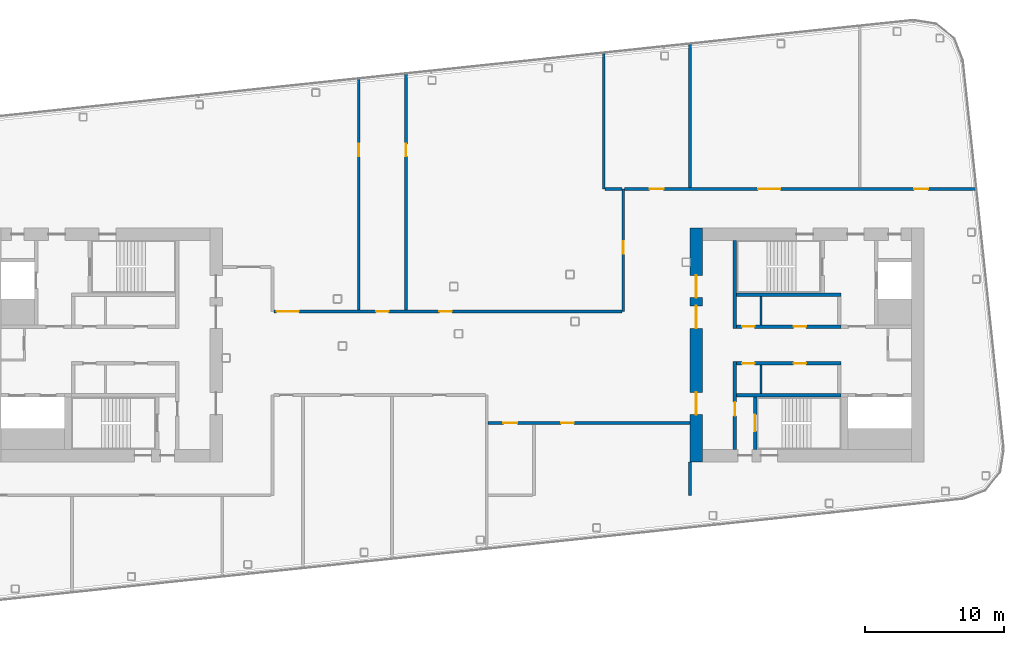
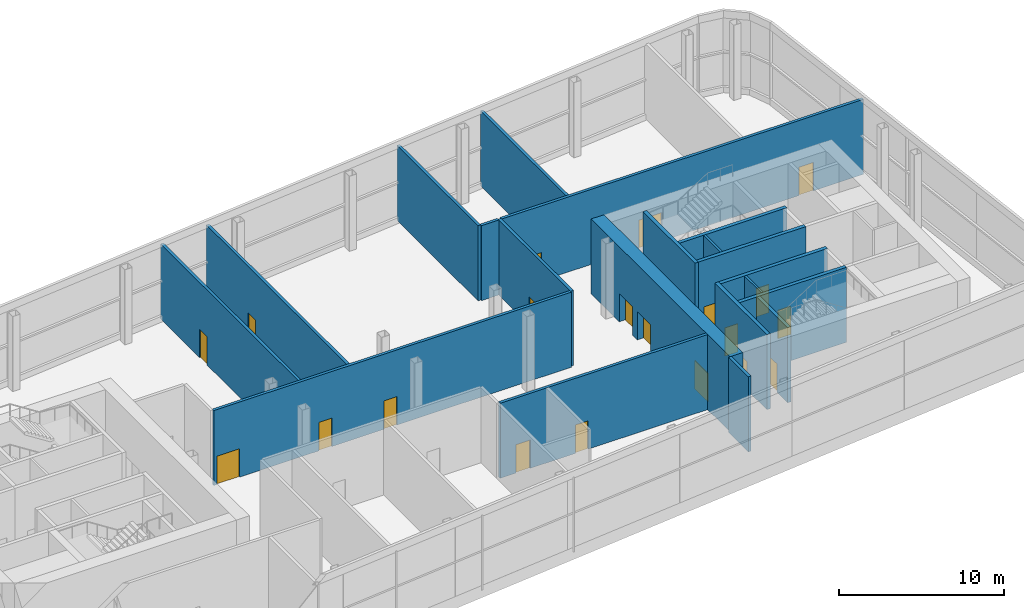
# One storey, part 16 of 35: 20 doors, 20 walls, 20 openings.
"""IFC4 building model written with IfcOpenShell, lengths in metres."""

from ifc_helpers import new_model, si_unit, direction, frame, frame_2d, origin, place, context, subcontext, project, spatial, rectangle, extrude, material, layer, layer_set, type_object, element, fill, save


model = new_model("IFC4")

# Units and contexts
model_context = context("Model", 3, precision=1e-05, world=origin(), true_north=direction((0.0, 1.0)))
body_context = subcontext(model_context, "Body", "Model", "MODEL_VIEW")
ifc_project = project(units=[si_unit("LENGTHUNIT", "METRE"), si_unit("AREAUNIT", "SQUARE_METRE"), si_unit("VOLUMEUNIT", "CUBIC_METRE"), si_unit("PLANEANGLEUNIT", "RADIAN"), si_unit("MASSUNIT", "GRAM", prefix="KILO")], contexts=[model_context])

# Site, building, storey
site_placement = place(None, origin())
site = spatial("IfcSite", under=ifc_project, at=site_placement, CompositionType="ELEMENT")
building_placement = place(site_placement, origin())
building = spatial("IfcBuilding", under=site, at=building_placement, Name="Hakoniwa Tower and Hamabe Station Hall", CompositionType="ELEMENT")
storey_placement = place(building_placement, frame((0.0, 0.0, 270.60009765625)))
storey = spatial("IfcBuildingStorey", under=building, at=storey_placement, Name="L76", CompositionType="ELEMENT", Elevation=270.60009765625)

# Walls
ifc_material_1 = material(Name="Gypsum board partition")
ifc_layer_1 = layer(ifc_material_1, 0.14990234375)
ifc_layer_set_1 = layer_set([ifc_layer_1], Name="CORE PARTITION 150 EI 60")
wall_type_1 = type_object("IfcWallType", Name="CORE PARTITION 150 EI 60", PredefinedType="PARTITIONING", material=ifc_layer_set_1)
for number, where, z_axis, x_axis, name in (
    (1, (21.89990234375, 1.449951171875, 0.0), (0.0, 0.0, 1.0), (0.0, 1.0, 0.0), "Core partition PFLR0 east"),
    (2, (21.89990234375, -3.5, 0.0), (0.0, 0.0, 1.0), (0.0, 1.0, 0.0), "Core partition PFHR0 east"),
):
    element("IfcWall", number, at=place(storey_placement, frame(where, z_axis=z_axis, x_axis=x_axis)), inside=storey, type_object=wall_type_1, Name=name, PredefinedType="PARTITIONING", context=body_context, shape_type="SweptSolid", body=[
        extrude(rectangle(XDim=2.050048828125, YDim=0.14990234375, at=frame_2d((1.02490234375, 0.0))), origin(), (0.0, 0.0, 1.0), 5.5498046875),
    ])

# Wall, openings, doors
ifc_material_2 = material(Name="Concrete C60", Category="concrete")
ifc_layer_2 = layer(ifc_material_2, 0.89990234375)
ifc_layer_set_2 = layer_set([ifc_layer_2], Name="CORE WALL 900 C60")
wall_type_2 = type_object("IfcWallType", Name="CORE WALL 900 C60", PredefinedType="SHEAR", material=ifc_layer_set_2)
wall_1_placement = place(storey_placement, frame((17.25, -8.39990234375, 0.0), z_axis=(0.0, 0.0, 1.0), x_axis=(0.0, 1.0, 0.0)))
wall_1 = element("IfcWall", 3, at=wall_1_placement, inside=storey, type_object=wall_type_2, Name="Core wall INNER east", PredefinedType="SHEAR", context=body_context, shape_type="SweptSolid", body=[
    extrude(rectangle(XDim=16.7998046875, YDim=0.89990234375, at=frame_2d((8.39990234375, 0.0))), origin(), (0.0, 0.0, 1.0), 5.5498046875),
])
opening_1_placement = place(wall_1_placement, frame((3.39990234375, 0.0, 0.0)))
opening_1 = element("IfcOpeningElement", 4, at=opening_1_placement, cuts=wall_1, Name="Opening CD-E-IN1-16", PredefinedType="OPENING", context=body_context, shape_type="SweptSolid", body=[
    extrude(rectangle(XDim=1.60009765625, YDim=2.10009765625, at=frame_2d((0.800048828125, 1.050048828125))), frame((0.0, 0.4599609375, 0.0), z_axis=(0.0, -1.0, 0.0), x_axis=(1.0, 0.0, 0.0)), (0.0, 0.0, 1.0), 0.919921875),
])
opening_2_placement = place(wall_1_placement, frame((9.60009765625, 0.0, 0.0)))
opening_2 = element("IfcOpeningElement", 5, at=opening_2_placement, cuts=wall_1, Name="Opening CD-E-IN2-16", PredefinedType="OPENING", context=body_context, shape_type="SweptSolid", body=[
    extrude(rectangle(XDim=1.60009765625, YDim=2.10009765625, at=frame_2d((0.800048828125, 1.050048828125))), frame((0.0, 0.4599609375, 0.0), z_axis=(0.0, -1.0, 0.0), x_axis=(1.0, 0.0, 0.0)), (0.0, 0.0, 1.0), 0.919921875),
])
opening_3_placement = place(wall_1_placement, frame((11.800048828125, 0.0, 0.0)))
opening_3 = element("IfcOpeningElement", 6, at=opening_3_placement, cuts=wall_1, Name="Opening CD-E-IN3-16", PredefinedType="OPENING", context=body_context, shape_type="SweptSolid", body=[
    extrude(rectangle(XDim=1.60009765625, YDim=2.10009765625, at=frame_2d((0.800048828125, 1.050048828125))), frame((0.0, 0.4599609375, 0.0), z_axis=(0.0, -1.0, 0.0), x_axis=(1.0, 0.0, 0.0)), (0.0, 0.0, 1.0), 0.919921875),
])
ifc_material_3 = material(Name="Steel fire door", Category="steel")
door_type_1 = type_object("IfcDoorType", Name="CORE DOOR 1600 FD60", OperationType="DOUBLE_DOOR_SINGLE_SWING", PredefinedType="DOOR", material=ifc_material_3)
door_1_placement = place(opening_1_placement, origin())
door_1 = element("IfcDoor", 7, at=door_1_placement, inside=storey, type_object=door_type_1, Name="Lift lobby door", OperationType="DOUBLE_DOOR_SINGLE_SWING", OverallHeight=2.10009765625, OverallWidth=1.60009765625, PredefinedType="DOOR", context=body_context, shape_type="SweptSolid", body=[
    extrude(rectangle(XDim=1.60009765625, YDim=2.10009765625, at=frame_2d((0.800048828125, 1.050048828125))), frame((0.0, 0.02490234375, 0.0), z_axis=(0.0, -1.0, 0.0), x_axis=(1.0, 0.0, 0.0)), (0.0, 0.0, 1.0), 0.050048828125),
])
fill(opening_1, door_1)
door_2_placement = place(opening_2_placement, origin())
door_2 = element("IfcDoor", 8, at=door_2_placement, inside=storey, type_object=door_type_1, Name="Lift lobby door", OperationType="DOUBLE_DOOR_SINGLE_SWING", OverallHeight=2.10009765625, OverallWidth=1.60009765625, PredefinedType="DOOR", context=body_context, shape_type="SweptSolid", body=[
    extrude(rectangle(XDim=1.60009765625, YDim=2.10009765625, at=frame_2d((0.800048828125, 1.050048828125))), frame((0.0, 0.02490234375, 0.0), z_axis=(0.0, -1.0, 0.0), x_axis=(1.0, 0.0, 0.0)), (0.0, 0.0, 1.0), 0.050048828125),
])
fill(opening_2, door_2)
door_3_placement = place(opening_3_placement, origin())
door_3 = element("IfcDoor", 9, at=door_3_placement, inside=storey, type_object=door_type_1, Name="Lift lobby door", OperationType="DOUBLE_DOOR_SINGLE_SWING", OverallHeight=2.10009765625, OverallWidth=1.60009765625, PredefinedType="DOOR", context=body_context, shape_type="SweptSolid", body=[
    extrude(rectangle(XDim=1.60009765625, YDim=2.10009765625, at=frame_2d((0.800048828125, 1.050048828125))), frame((0.0, 0.02490234375, 0.0), z_axis=(0.0, -1.0, 0.0), x_axis=(1.0, 0.0, 0.0)), (0.0, 0.0, 1.0), 0.050048828125),
])
fill(opening_3, door_3)

# Wall
ifc_material_4 = material(Name="Concrete C60", Category="concrete")
ifc_layer_3 = layer(ifc_material_4, 0.25)
ifc_layer_set_3 = layer_set([ifc_layer_3], Name="CORE WEB WALL 250 C60")
wall_type_3 = type_object("IfcWallType", Name="CORE WEB WALL 250 C60", PredefinedType="SHEAR", material=ifc_layer_set_3)
wall_2_placement = place(storey_placement, frame((20.02490234375, 1.199951171875, 0.0), z_axis=(0.0, 0.0, 1.0), x_axis=(0.0, 1.0, 0.0)))
element("IfcWall", 10, at=wall_2_placement, inside=storey, type_object=wall_type_3, Name="Core wall W1N east", PredefinedType="SHEAR", context=body_context, shape_type="SweptSolid", body=[
    extrude(rectangle(XDim=6.300048828125, YDim=0.25, at=frame_2d((3.14990234375, 0.0))), origin(), (0.0, 0.0, 1.0), 5.5498046875),
])

# Wall, opening, door
wall_3_placement = place(storey_placement, frame((20.02490234375, -7.5, 0.0), z_axis=(0.0, 0.0, 1.0), x_axis=(0.0, 1.0, 0.0)))
wall_3 = element("IfcWall", 11, at=wall_3_placement, inside=storey, type_object=wall_type_3, Name="Core wall W1S east", PredefinedType="SHEAR", context=body_context, shape_type="SweptSolid", body=[
    extrude(rectangle(XDim=6.300048828125, YDim=0.25, at=frame_2d((3.14990234375, 0.0))), origin(), (0.0, 0.0, 1.0), 5.5498046875),
])
opening_4_placement = place(wall_3_placement, frame((2.39990234375, 0.0, 0.0)))
opening_4 = element("IfcOpeningElement", 12, at=opening_4_placement, cuts=wall_3, Name="Opening CD-E-VS-10", PredefinedType="OPENING", context=body_context, shape_type="SweptSolid", body=[
    extrude(rectangle(XDim=1.0, YDim=2.10009765625, at=frame_2d((0.5, 1.050048828125))), frame((0.0, 0.135009765625, 0.0), z_axis=(0.0, -1.0, 0.0), x_axis=(1.0, 0.0, 0.0)), (0.0, 0.0, 1.0), 0.27001953125),
])
ifc_material_5 = material(Name="Steel fire door", Category="steel")
door_type_2 = type_object("IfcDoorType", Name="CORE DOOR 1000 FD60", OperationType="NOTDEFINED", PredefinedType="DOOR", material=ifc_material_5)
door_4_placement = place(opening_4_placement, origin())
door_4 = element("IfcDoor", 13, at=door_4_placement, inside=storey, type_object=door_type_2, Name="Stair vestibule door", OperationType="SINGLE_SWING_RIGHT", OverallHeight=2.10009765625, OverallWidth=1.0, PredefinedType="DOOR", context=body_context, shape_type="SweptSolid", body=[
    extrude(rectangle(XDim=1.0, YDim=2.10009765625, at=frame_2d((0.5, 1.050048828125))), frame((0.0, 0.02490234375, 0.0), z_axis=(0.0, -1.0, 0.0), x_axis=(1.0, 0.0, 0.0)), (0.0, 0.0, 1.0), 0.050048828125),
])
fill(opening_4, door_4)

# Wall, openings, doors
wall_4_placement = place(storey_placement, frame((20.14990234375, 1.324951171875, 0.0), z_axis=(0.0, 0.0, 1.0), x_axis=(1.0, 0.0, 0.0)))
wall_4 = element("IfcWall", 14, at=wall_4_placement, inside=storey, type_object=wall_type_3, Name="Core wall NF east", PredefinedType="SHEAR", context=body_context, shape_type="SweptSolid", body=[
    extrude(rectangle(XDim=7.5, YDim=0.25, at=frame_2d((3.75, 0.0))), origin(), (0.0, 0.0, 1.0), 5.5498046875),
])
opening_5_placement = place(wall_4_placement, frame((0.387451171875, 0.0, 0.0)))
opening_5 = element("IfcOpeningElement", 15, at=opening_5_placement, cuts=wall_4, Name="Opening CD-E-FRLR0-9", PredefinedType="OPENING", context=body_context, shape_type="SweptSolid", body=[
    extrude(rectangle(XDim=0.89990234375, YDim=2.10009765625, at=frame_2d((0.449951171875, 1.050048828125))), frame((0.0, 0.135009765625, 0.0), z_axis=(0.0, -1.0, 0.0), x_axis=(1.0, 0.0, 0.0)), (0.0, 0.0, 1.0), 0.27001953125),
])
opening_6_placement = place(wall_4_placement, frame((4.08740234375, 0.0, 0.0)))
opening_6 = element("IfcOpeningElement", 16, at=opening_6_placement, cuts=wall_4, Name="Opening CD-E-FRLR1-9", PredefinedType="OPENING", context=body_context, shape_type="SweptSolid", body=[
    extrude(rectangle(XDim=0.89990234375, YDim=2.10009765625, at=frame_2d((0.449951171875, 1.050048828125))), frame((0.0, 0.135009765625, 0.0), z_axis=(0.0, -1.0, 0.0), x_axis=(1.0, 0.0, 0.0)), (0.0, 0.0, 1.0), 0.27001953125),
])
ifc_material_6 = material(Name="Steel fire door", Category="steel")
door_type_3 = type_object("IfcDoorType", Name="CORE DOOR 900 FD30", OperationType="NOTDEFINED", PredefinedType="DOOR", material=ifc_material_6)
door_5_placement = place(opening_5_placement, origin())
door_5 = element("IfcDoor", 17, at=door_5_placement, inside=storey, type_object=door_type_3, Name="Store room door", OperationType="SINGLE_SWING_LEFT", OverallHeight=2.10009765625, OverallWidth=0.89990234375, PredefinedType="DOOR", context=body_context, shape_type="SweptSolid", body=[
    extrude(rectangle(XDim=0.89990234375, YDim=2.10009765625, at=frame_2d((0.449951171875, 1.050048828125))), frame((0.0, 0.02490234375, 0.0), z_axis=(0.0, -1.0, 0.0), x_axis=(1.0, 0.0, 0.0)), (0.0, 0.0, 1.0), 0.050048828125),
])
fill(opening_5, door_5)
door_6_placement = place(opening_6_placement, origin())
door_6 = element("IfcDoor", 18, at=door_6_placement, inside=storey, type_object=door_type_3, Name="Store room door", OperationType="SINGLE_SWING_RIGHT", OverallHeight=2.10009765625, OverallWidth=0.89990234375, PredefinedType="DOOR", context=body_context, shape_type="SweptSolid", body=[
    extrude(rectangle(XDim=0.89990234375, YDim=2.10009765625, at=frame_2d((0.449951171875, 1.050048828125))), frame((0.0, 0.02490234375, 0.0), z_axis=(0.0, -1.0, 0.0), x_axis=(1.0, 0.0, 0.0)), (0.0, 0.0, 1.0), 0.050048828125),
])
fill(opening_6, door_6)

# Wall
wall_5_placement = place(storey_placement, frame((20.14990234375, 3.625, 0.0), z_axis=(0.0, 0.0, 1.0), x_axis=(1.0, 0.0, 0.0)))
element("IfcWall", 19, at=wall_5_placement, inside=storey, type_object=wall_type_3, Name="Core wall NR east", PredefinedType="SHEAR", context=body_context, shape_type="SweptSolid", body=[
    extrude(rectangle(XDim=7.5, YDim=0.25, at=frame_2d((3.75, 0.0))), origin(), (0.0, 0.0, 1.0), 5.5498046875),
])

# Wall, openings, doors
wall_6_placement = place(storey_placement, frame((20.14990234375, -1.324951171875, 0.0), z_axis=(0.0, 0.0, 1.0), x_axis=(1.0, 0.0, 0.0)))
wall_6 = element("IfcWall", 20, at=wall_6_placement, inside=storey, type_object=wall_type_3, Name="Core wall SF east", PredefinedType="SHEAR", context=body_context, shape_type="SweptSolid", body=[
    extrude(rectangle(XDim=7.5, YDim=0.25, at=frame_2d((3.75, 0.0))), origin(), (0.0, 0.0, 1.0), 5.5498046875),
])
opening_7_placement = place(wall_6_placement, frame((0.387451171875, 0.0, 0.0)))
opening_7 = element("IfcOpeningElement", 21, at=opening_7_placement, cuts=wall_6, Name="Opening CD-E-FRHR2-9", PredefinedType="OPENING", context=body_context, shape_type="SweptSolid", body=[
    extrude(rectangle(XDim=0.89990234375, YDim=2.10009765625, at=frame_2d((0.449951171875, 1.050048828125))), frame((0.0, 0.135009765625, 0.0), z_axis=(0.0, -1.0, 0.0), x_axis=(1.0, 0.0, 0.0)), (0.0, 0.0, 1.0), 0.27001953125),
])
opening_8_placement = place(wall_6_placement, frame((4.08740234375, 0.0, 0.0)))
opening_8 = element("IfcOpeningElement", 22, at=opening_8_placement, cuts=wall_6, Name="Opening CD-E-FRHR3-9", PredefinedType="OPENING", context=body_context, shape_type="SweptSolid", body=[
    extrude(rectangle(XDim=0.89990234375, YDim=2.10009765625, at=frame_2d((0.449951171875, 1.050048828125))), frame((0.0, 0.135009765625, 0.0), z_axis=(0.0, -1.0, 0.0), x_axis=(1.0, 0.0, 0.0)), (0.0, 0.0, 1.0), 0.27001953125),
])
door_7_placement = place(opening_7_placement, origin())
door_7 = element("IfcDoor", 23, at=door_7_placement, inside=storey, type_object=door_type_3, Name="Store room door", OperationType="SINGLE_SWING_RIGHT", OverallHeight=2.10009765625, OverallWidth=0.89990234375, PredefinedType="DOOR", context=body_context, shape_type="SweptSolid", body=[
    extrude(rectangle(XDim=0.89990234375, YDim=2.10009765625, at=frame_2d((0.449951171875, 1.050048828125))), frame((0.0, 0.02490234375, 0.0), z_axis=(0.0, -1.0, 0.0), x_axis=(1.0, 0.0, 0.0)), (0.0, 0.0, 1.0), 0.050048828125),
])
fill(opening_7, door_7)
door_8_placement = place(opening_8_placement, origin())
door_8 = element("IfcDoor", 24, at=door_8_placement, inside=storey, type_object=door_type_3, Name="Store room door", OperationType="SINGLE_SWING_RIGHT", OverallHeight=2.10009765625, OverallWidth=0.89990234375, PredefinedType="DOOR", context=body_context, shape_type="SweptSolid", body=[
    extrude(rectangle(XDim=0.89990234375, YDim=2.10009765625, at=frame_2d((0.449951171875, 1.050048828125))), frame((0.0, 0.02490234375, 0.0), z_axis=(0.0, -1.0, 0.0), x_axis=(1.0, 0.0, 0.0)), (0.0, 0.0, 1.0), 0.050048828125),
])
fill(opening_8, door_8)

# Wall
wall_7_placement = place(storey_placement, frame((20.14990234375, -3.625, 0.0), z_axis=(0.0, 0.0, 1.0), x_axis=(1.0, 0.0, 0.0)))
element("IfcWall", 25, at=wall_7_placement, inside=storey, type_object=wall_type_3, Name="Core wall SR east", PredefinedType="SHEAR", context=body_context, shape_type="SweptSolid", body=[
    extrude(rectangle(XDim=7.5, YDim=0.25, at=frame_2d((3.75, 0.0))), origin(), (0.0, 0.0, 1.0), 5.5498046875),
])

# Wall, opening, door
wall_8_placement = place(storey_placement, frame((21.47509765625, -7.5, 0.0), z_axis=(0.0, 0.0, 1.0), x_axis=(0.0, 1.0, 0.0)))
wall_8 = element("IfcWall", 26, at=wall_8_placement, inside=storey, type_object=wall_type_3, Name="Core wall VE east", PredefinedType="SHEAR", context=body_context, shape_type="SweptSolid", body=[
    extrude(rectangle(XDim=3.75, YDim=0.25, at=frame_2d((1.875, 0.0))), origin(), (0.0, 0.0, 1.0), 5.5498046875),
])
opening_9_placement = place(wall_8_placement, frame((1.300048828125, 0.0, 0.0)))
opening_9 = element("IfcOpeningElement", 27, at=opening_9_placement, cuts=wall_8, Name="Opening CD-E-SS-12", PredefinedType="OPENING", context=body_context, shape_type="SweptSolid", body=[
    extrude(rectangle(XDim=1.199951171875, YDim=2.10009765625, at=frame_2d((0.60009765625, 1.050048828125))), frame((0.0, 0.135009765625, 0.0), z_axis=(0.0, -1.0, 0.0), x_axis=(1.0, 0.0, 0.0)), (0.0, 0.0, 1.0), 0.27001953125),
])
ifc_material_7 = material(Name="Steel fire door", Category="steel")
door_type_4 = type_object("IfcDoorType", Name="CORE DOOR 1200 FD60", OperationType="DOUBLE_DOOR_SINGLE_SWING", PredefinedType="DOOR", material=ifc_material_7)
door_9_placement = place(opening_9_placement, origin())
door_9 = element("IfcDoor", 28, at=door_9_placement, inside=storey, type_object=door_type_4, Name="Escape stair door", OperationType="DOUBLE_DOOR_SINGLE_SWING", OverallHeight=2.10009765625, OverallWidth=1.199951171875, PredefinedType="DOOR", context=body_context, shape_type="SweptSolid", body=[
    extrude(rectangle(XDim=1.199951171875, YDim=2.10009765625, at=frame_2d((0.60009765625, 1.050048828125))), frame((0.0, 0.02490234375, 0.0), z_axis=(0.0, -1.0, 0.0), x_axis=(1.0, 0.0, 0.0)), (0.0, 0.0, 1.0), 0.050048828125),
])
fill(opening_9, door_9)

# Wall, openings, doors
ifc_material_8 = material(Name="Fire-rated gypsum board partition", Category="gypsum")
ifc_layer_4 = layer(ifc_material_8, 0.199951171875)
ifc_layer_set_4 = layer_set([ifc_layer_4], Name="Corridor Wall 200")
wall_type_4 = type_object("IfcWallType", Name="Corridor Wall 200", PredefinedType="PARTITIONING", material=ifc_layer_set_4)
wall_9_placement = place(storey_placement, frame((2.300048828125, -5.60009765625, 0.0), z_axis=(0.0, 0.0, 1.0), x_axis=(1.0, 0.0, 0.0)))
wall_9 = element("IfcWall", 29, at=wall_9_placement, inside=storey, type_object=wall_type_4, Name="GW-L76-004", PredefinedType="PARTITIONING", context=body_context, shape_type="SweptSolid", body=[
    extrude(rectangle(XDim=14.5, YDim=0.199951171875, at=frame_2d((7.25, 0.0))), origin(), (0.0, 0.0, 1.0), 5.5498046875),
])
opening_10_placement = place(wall_9_placement, frame((1.10009765625, 0.0, 0.0)))
opening_10 = element("IfcOpeningElement", 30, at=opening_10_placement, cuts=wall_9, Name="Opening GD-SL76-04", PredefinedType="OPENING", context=body_context, shape_type="SweptSolid", body=[
    extrude(rectangle(XDim=1.0, YDim=2.10009765625, at=frame_2d((0.5, 1.050048828125))), frame((0.0, 0.10986328125, 0.0), z_axis=(0.0, -1.0, 0.0), x_axis=(1.0, 0.0, 0.0)), (0.0, 0.0, 1.0), 0.219970703125),
])
opening_11_placement = place(wall_9_placement, frame((5.25, 0.0, 0.0)))
opening_11 = element("IfcOpeningElement", 31, at=opening_11_placement, cuts=wall_9, Name="Opening GD-SL76-05", PredefinedType="OPENING", context=body_context, shape_type="SweptSolid", body=[
    extrude(rectangle(XDim=0.89990234375, YDim=2.10009765625, at=frame_2d((0.449951171875, 1.050048828125))), frame((0.0, 0.10986328125, 0.0), z_axis=(0.0, -1.0, 0.0), x_axis=(1.0, 0.0, 0.0)), (0.0, 0.0, 1.0), 0.219970703125),
])
ifc_material_9 = material(Name="Timber door leaf", Category="wood")
door_type_5 = type_object("IfcDoorType", Name="Accessible Bathroom Door 1000", OperationType="SINGLE_SWING_LEFT", PredefinedType="DOOR", material=ifc_material_9)
door_10_placement = place(opening_10_placement, origin())
door_10 = element("IfcDoor", 32, at=door_10_placement, inside=storey, type_object=door_type_5, Name="Door GD-SL76-04", OperationType="SINGLE_SWING_RIGHT", OverallHeight=2.10009765625, OverallWidth=1.0, PredefinedType="DOOR", context=body_context, shape_type="SweptSolid", body=[
    extrude(rectangle(XDim=1.0, YDim=2.10009765625, at=frame_2d((0.5, 1.050048828125))), frame((0.0, 0.02490234375, 0.0), z_axis=(0.0, -1.0, 0.0), x_axis=(1.0, 0.0, 0.0)), (0.0, 0.0, 1.0), 0.050048828125),
])
fill(opening_10, door_10)
ifc_material_10 = material(Name="Timber door leaf", Category="wood")
door_type_6 = type_object("IfcDoorType", Name="Service Door 900", OperationType="SINGLE_SWING_LEFT", PredefinedType="DOOR", material=ifc_material_10)
door_11_placement = place(opening_11_placement, origin())
door_11 = element("IfcDoor", 33, at=door_11_placement, inside=storey, type_object=door_type_6, Name="Door GD-SL76-05", OperationType="SINGLE_SWING_LEFT", OverallHeight=2.10009765625, OverallWidth=0.89990234375, PredefinedType="DOOR", context=body_context, shape_type="SweptSolid", body=[
    extrude(rectangle(XDim=0.89990234375, YDim=2.10009765625, at=frame_2d((0.449951171875, 1.050048828125))), frame((0.0, 0.02490234375, 0.0), z_axis=(0.0, -1.0, 0.0), x_axis=(1.0, 0.0, 0.0)), (0.0, 0.0, 1.0), 0.050048828125),
])
fill(opening_11, door_11)

wall_10_placement = place(storey_placement, frame((-13.10009765625, 2.39990234375, 0.0), z_axis=(0.0, 0.0, 1.0), x_axis=(1.0, 0.0, 0.0)))
wall_10 = element("IfcWall", 34, at=wall_10_placement, inside=storey, type_object=wall_type_4, Name="GW-L76-006", PredefinedType="PARTITIONING", context=body_context, shape_type="SweptSolid", body=[
    extrude(rectangle(XDim=25.0, YDim=0.199951171875, at=frame_2d((12.5, 0.0))), origin(), (0.0, 0.0, 1.0), 5.5498046875),
])
opening_12_placement = place(wall_10_placement, frame((0.199951171875, 0.0, 0.0)))
opening_12 = element("IfcOpeningElement", 35, at=opening_12_placement, cuts=wall_10, Name="Opening GD-SL76-09", PredefinedType="OPENING", context=body_context, shape_type="SweptSolid", body=[
    extrude(rectangle(XDim=1.60009765625, YDim=2.10009765625, at=frame_2d((0.800048828125, 1.050048828125))), frame((0.0, 0.10986328125, 0.0), z_axis=(0.0, -1.0, 0.0), x_axis=(1.0, 0.0, 0.0)), (0.0, 0.0, 1.0), 0.219970703125),
])
opening_13_placement = place(wall_10_placement, frame((7.35009765625, 0.0, 0.0)))
opening_13 = element("IfcOpeningElement", 36, at=opening_13_placement, cuts=wall_10, Name="Opening GD-SL76-10", PredefinedType="OPENING", context=body_context, shape_type="SweptSolid", body=[
    extrude(rectangle(XDim=0.89990234375, YDim=2.10009765625, at=frame_2d((0.449951171875, 1.050048828125))), frame((0.0, 0.10986328125, 0.0), z_axis=(0.0, -1.0, 0.0), x_axis=(1.0, 0.0, 0.0)), (0.0, 0.0, 1.0), 0.219970703125),
])
opening_14_placement = place(wall_10_placement, frame((11.89990234375, 0.0, 0.0)))
opening_14 = element("IfcOpeningElement", 37, at=opening_14_placement, cuts=wall_10, Name="Opening GD-SL76-11", PredefinedType="OPENING", context=body_context, shape_type="SweptSolid", body=[
    extrude(rectangle(XDim=0.89990234375, YDim=2.10009765625, at=frame_2d((0.449951171875, 1.050048828125))), frame((0.0, 0.10986328125, 0.0), z_axis=(0.0, -1.0, 0.0), x_axis=(1.0, 0.0, 0.0)), (0.0, 0.0, 1.0), 0.219970703125),
])
ifc_material_11 = material(Name="Timber door leaf", Category="wood")
door_type_7 = type_object("IfcDoorType", Name="Double Door 1600", OperationType="DOUBLE_DOOR_SINGLE_SWING", PredefinedType="DOOR", material=ifc_material_11)
door_12_placement = place(opening_12_placement, origin())
door_12 = element("IfcDoor", 38, at=door_12_placement, inside=storey, type_object=door_type_7, Name="Door GD-SL76-09", OperationType="DOUBLE_DOOR_SINGLE_SWING", OverallHeight=2.10009765625, OverallWidth=1.60009765625, PredefinedType="DOOR", context=body_context, shape_type="SweptSolid", body=[
    extrude(rectangle(XDim=1.60009765625, YDim=2.10009765625, at=frame_2d((0.800048828125, 1.050048828125))), frame((0.0, 0.02490234375, 0.0), z_axis=(0.0, -1.0, 0.0), x_axis=(1.0, 0.0, 0.0)), (0.0, 0.0, 1.0), 0.050048828125),
])
fill(opening_12, door_12)
door_13_placement = place(opening_13_placement, origin())
door_13 = element("IfcDoor", 39, at=door_13_placement, inside=storey, type_object=door_type_6, Name="Door GD-SL76-10", OperationType="SINGLE_SWING_RIGHT", OverallHeight=2.10009765625, OverallWidth=0.89990234375, PredefinedType="DOOR", context=body_context, shape_type="SweptSolid", body=[
    extrude(rectangle(XDim=0.89990234375, YDim=2.10009765625, at=frame_2d((0.449951171875, 1.050048828125))), frame((0.0, 0.02490234375, 0.0), z_axis=(0.0, -1.0, 0.0), x_axis=(1.0, 0.0, 0.0)), (0.0, 0.0, 1.0), 0.050048828125),
])
fill(opening_13, door_13)
door_14_placement = place(opening_14_placement, origin())
door_14 = element("IfcDoor", 40, at=door_14_placement, inside=storey, type_object=door_type_6, Name="Door GD-SL76-11", OperationType="SINGLE_SWING_LEFT", OverallHeight=2.10009765625, OverallWidth=0.89990234375, PredefinedType="DOOR", context=body_context, shape_type="SweptSolid", body=[
    extrude(rectangle(XDim=0.89990234375, YDim=2.10009765625, at=frame_2d((0.449951171875, 1.050048828125))), frame((0.0, 0.02490234375, 0.0), z_axis=(0.0, -1.0, 0.0), x_axis=(1.0, 0.0, 0.0)), (0.0, 0.0, 1.0), 0.050048828125),
])
fill(opening_14, door_14)

wall_11_placement = place(storey_placement, frame((12.10009765625, 11.199951171875, 0.0), z_axis=(0.0, 0.0, 1.0), x_axis=(1.0, 0.0, 0.0)))
wall_11 = element("IfcWall", 41, at=wall_11_placement, inside=storey, type_object=wall_type_4, Name="GW-L76-009", PredefinedType="PARTITIONING", context=body_context, shape_type="SweptSolid", body=[
    extrude(rectangle(XDim=25.29541015625, YDim=0.199951171875, at=frame_2d((12.647705078125, 0.0))), origin(), (0.0, 0.0, 1.0), 5.5498046875),
])
opening_15_placement = place(wall_11_placement, frame((1.800048828125, 0.0, 0.0)))
opening_15 = element("IfcOpeningElement", 42, at=opening_15_placement, cuts=wall_11, Name="Opening GD-SL76-13", PredefinedType="OPENING", context=body_context, shape_type="SweptSolid", body=[
    extrude(rectangle(XDim=1.0, YDim=2.10009765625, at=frame_2d((0.5, 1.050048828125))), frame((0.0, 0.10986328125, 0.0), z_axis=(0.0, -1.0, 0.0), x_axis=(1.0, 0.0, 0.0)), (0.0, 0.0, 1.0), 0.219970703125),
])
opening_16_placement = place(wall_11_placement, frame((9.60009765625, 0.0, 0.0)))
opening_16 = element("IfcOpeningElement", 43, at=opening_16_placement, cuts=wall_11, Name="Opening GD-SL76-14", PredefinedType="OPENING", context=body_context, shape_type="SweptSolid", body=[
    extrude(rectangle(XDim=1.60009765625, YDim=2.10009765625, at=frame_2d((0.800048828125, 1.050048828125))), frame((0.0, 0.10986328125, 0.0), z_axis=(0.0, -1.0, 0.0), x_axis=(1.0, 0.0, 0.0)), (0.0, 0.0, 1.0), 0.219970703125),
])
opening_17_placement = place(wall_11_placement, frame((20.800048828125, 0.0, 0.0)))
opening_17 = element("IfcOpeningElement", 44, at=opening_17_placement, cuts=wall_11, Name="Opening GD-SL76-15", PredefinedType="OPENING", context=body_context, shape_type="SweptSolid", body=[
    extrude(rectangle(XDim=1.0, YDim=2.10009765625, at=frame_2d((0.5, 1.050048828125))), frame((0.0, 0.10986328125, 0.0), z_axis=(0.0, -1.0, 0.0), x_axis=(1.0, 0.0, 0.0)), (0.0, 0.0, 1.0), 0.219970703125),
])
door_15_placement = place(opening_16_placement, origin())
door_15 = element("IfcDoor", 45, at=door_15_placement, inside=storey, type_object=door_type_7, Name="Door GD-SL76-14", OperationType="DOUBLE_DOOR_SINGLE_SWING", OverallHeight=2.10009765625, OverallWidth=1.60009765625, PredefinedType="DOOR", context=body_context, shape_type="SweptSolid", body=[
    extrude(rectangle(XDim=1.60009765625, YDim=2.10009765625, at=frame_2d((0.800048828125, 1.050048828125))), frame((0.0, 0.02490234375, 0.0), z_axis=(0.0, -1.0, 0.0), x_axis=(1.0, 0.0, 0.0)), (0.0, 0.0, 1.0), 0.050048828125),
])
fill(opening_16, door_15)
ifc_material_12 = material(Name="Timber door leaf", Category="wood")
door_type_8 = type_object("IfcDoorType", Name="Guest Entrance Door 1000", OperationType="SINGLE_SWING_LEFT", PredefinedType="DOOR", material=ifc_material_12)
door_16_placement = place(opening_15_placement, origin())
door_16 = element("IfcDoor", 46, at=door_16_placement, inside=storey, type_object=door_type_8, Name="Door GD-SL76-13", OperationType="SINGLE_SWING_RIGHT", OverallHeight=2.10009765625, OverallWidth=1.0, PredefinedType="DOOR", context=body_context, shape_type="SweptSolid", body=[
    extrude(rectangle(XDim=1.0, YDim=2.10009765625, at=frame_2d((0.5, 1.050048828125))), frame((0.0, 0.02490234375, 0.0), z_axis=(0.0, -1.0, 0.0), x_axis=(1.0, 0.0, 0.0)), (0.0, 0.0, 1.0), 0.050048828125),
])
fill(opening_15, door_16)
door_17_placement = place(opening_17_placement, origin())
door_17 = element("IfcDoor", 47, at=door_17_placement, inside=storey, type_object=door_type_8, Name="Door GD-SL76-15", OperationType="SINGLE_SWING_LEFT", OverallHeight=2.10009765625, OverallWidth=1.0, PredefinedType="DOOR", context=body_context, shape_type="SweptSolid", body=[
    extrude(rectangle(XDim=1.0, YDim=2.10009765625, at=frame_2d((0.5, 1.050048828125))), frame((0.0, 0.02490234375, 0.0), z_axis=(0.0, -1.0, 0.0), x_axis=(1.0, 0.0, 0.0)), (0.0, 0.0, 1.0), 0.050048828125),
])
fill(opening_17, door_17)

# Wall, opening, door
wall_12_placement = place(storey_placement, frame((12.0, 2.39990234375, 0.0), z_axis=(0.0, 0.0, 1.0), x_axis=(0.0, 1.0, 0.0)))
wall_12 = element("IfcWall", 48, at=wall_12_placement, inside=storey, type_object=wall_type_4, Name="GW-L76-022", PredefinedType="PARTITIONING", context=body_context, shape_type="SweptSolid", body=[
    extrude(rectangle(XDim=8.800048828125, YDim=0.199951171875, at=frame_2d((4.39990234375, 0.0))), origin(), (0.0, 0.0, 1.0), 5.5498046875),
])
opening_18_placement = place(wall_12_placement, frame((4.14990234375, 0.0, 0.0)))
opening_18 = element("IfcOpeningElement", 49, at=opening_18_placement, cuts=wall_12, Name="Opening GD-SL76-18", PredefinedType="OPENING", context=body_context, shape_type="SweptSolid", body=[
    extrude(rectangle(XDim=0.89990234375, YDim=2.10009765625, at=frame_2d((0.449951171875, 1.050048828125))), frame((0.0, 0.10986328125, 0.0), z_axis=(0.0, -1.0, 0.0), x_axis=(1.0, 0.0, 0.0)), (0.0, 0.0, 1.0), 0.219970703125),
])
door_18_placement = place(opening_18_placement, origin())
door_18 = element("IfcDoor", 50, at=door_18_placement, inside=storey, type_object=door_type_6, Name="Door GD-SL76-18", OperationType="SINGLE_SWING_RIGHT", OverallHeight=2.10009765625, OverallWidth=0.89990234375, PredefinedType="DOOR", context=body_context, shape_type="SweptSolid", body=[
    extrude(rectangle(XDim=0.89990234375, YDim=2.10009765625, at=frame_2d((0.449951171875, 1.050048828125))), frame((0.0, 0.02490234375, 0.0), z_axis=(0.0, -1.0, 0.0), x_axis=(1.0, 0.0, 0.0)), (0.0, 0.0, 1.0), 0.050048828125),
])
fill(opening_18, door_18)

# Walls
wall_13_placement = place(storey_placement, frame((16.800048828125, -10.800048828125, 0.0), z_axis=(0.0, 0.0, 1.0), x_axis=(0.0, 1.0, 0.0)))
element("IfcWall", 51, at=wall_13_placement, inside=storey, type_object=wall_type_4, Name="GW-L76-023", PredefinedType="PARTITIONING", context=body_context, shape_type="SweptSolid", body=[
    extrude(rectangle(XDim=2.400146484375, YDim=0.199951171875, at=frame_2d((1.2001953125, 0.0))), origin(), (0.0, 0.0, 1.0), 5.5498046875),
])
ifc_material_13 = material(Name="Fire-rated gypsum board partition", Category="gypsum")
ifc_layer_5 = layer(ifc_material_13, 0.199951171875)
ifc_layer_set_5 = layer_set([ifc_layer_5], Name="Party Wall 200")
wall_type_5 = type_object("IfcWallType", Name="Party Wall 200", PredefinedType="PARTITIONING", material=ifc_layer_set_5)
wall_14_placement = place(storey_placement, frame((10.699951171875, 11.199951171875, 0.0), z_axis=(0.0, 0.0, 1.0), x_axis=(1.0, 0.0, 0.0)))
element("IfcWall", 52, at=wall_14_placement, inside=storey, type_object=wall_type_5, Name="GW-L76-008", PredefinedType="PARTITIONING", context=body_context, shape_type="SweptSolid", body=[
    extrude(rectangle(XDim=1.199951171875, YDim=0.199951171875, at=frame_2d((0.60009765625, 0.0))), origin(), (0.0, 0.0, 1.0), 5.5498046875),
])

# Wall, opening, door
wall_15_placement = place(storey_placement, frame((-7.0, 2.5, 0.0), z_axis=(0.0, 0.0, 1.0), x_axis=(0.0, 1.0, 0.0)))
wall_15 = element("IfcWall", 53, at=wall_15_placement, inside=storey, type_object=wall_type_5, Name="GW-L76-015", PredefinedType="PARTITIONING", context=body_context, shape_type="SweptSolid", body=[
    extrude(rectangle(XDim=16.65966796875, YDim=0.199951171875, at=frame_2d((8.329833984375, 0.0))), origin(), (0.0, 0.0, 1.0), 5.5498046875),
])
opening_19_placement = place(wall_15_placement, frame((11.050048828125, 0.0, 0.0)))
opening_19 = element("IfcOpeningElement", 54, at=opening_19_placement, cuts=wall_15, Name="Opening GD-SL76-16", PredefinedType="OPENING", context=body_context, shape_type="SweptSolid", body=[
    extrude(rectangle(XDim=0.89990234375, YDim=2.10009765625, at=frame_2d((0.449951171875, 1.050048828125))), frame((0.0, 0.10986328125, 0.0), z_axis=(0.0, -1.0, 0.0), x_axis=(1.0, 0.0, 0.0)), (0.0, 0.0, 1.0), 0.219970703125),
])
door_19_placement = place(opening_19_placement, origin())
door_19 = element("IfcDoor", 55, at=door_19_placement, inside=storey, type_object=door_type_6, Name="Door GD-SL76-16", OperationType="SINGLE_SWING_LEFT", OverallHeight=2.10009765625, OverallWidth=0.89990234375, PredefinedType="DOOR", context=body_context, shape_type="SweptSolid", body=[
    extrude(rectangle(XDim=0.89990234375, YDim=2.10009765625, at=frame_2d((0.449951171875, 1.050048828125))), frame((0.0, 0.02490234375, 0.0), z_axis=(0.0, -1.0, 0.0), x_axis=(1.0, 0.0, 0.0)), (0.0, 0.0, 1.0), 0.050048828125),
])
fill(opening_19, door_19)

wall_16_placement = place(storey_placement, frame((-3.60009765625, 2.5, 0.0), z_axis=(0.0, 0.0, 1.0), x_axis=(0.0, 1.0, 0.0)))
wall_16 = element("IfcWall", 56, at=wall_16_placement, inside=storey, type_object=wall_type_5, Name="GW-L76-017", PredefinedType="PARTITIONING", context=body_context, shape_type="SweptSolid", body=[
    extrude(rectangle(XDim=17.016845703125, YDim=0.199951171875, at=frame_2d((8.50830078125, 0.0))), origin(), (0.0, 0.0, 1.0), 5.5498046875),
])
opening_20_placement = place(wall_16_placement, frame((11.050048828125, 0.0, 0.0)))
opening_20 = element("IfcOpeningElement", 57, at=opening_20_placement, cuts=wall_16, Name="Opening GD-SL76-17", PredefinedType="OPENING", context=body_context, shape_type="SweptSolid", body=[
    extrude(rectangle(XDim=0.89990234375, YDim=2.10009765625, at=frame_2d((0.449951171875, 1.050048828125))), frame((0.0, 0.10986328125, 0.0), z_axis=(0.0, -1.0, 0.0), x_axis=(1.0, 0.0, 0.0)), (0.0, 0.0, 1.0), 0.219970703125),
])
door_20_placement = place(opening_20_placement, origin())
door_20 = element("IfcDoor", 58, at=door_20_placement, inside=storey, type_object=door_type_6, Name="Door GD-SL76-17", OperationType="SINGLE_SWING_LEFT", OverallHeight=2.10009765625, OverallWidth=0.89990234375, PredefinedType="DOOR", context=body_context, shape_type="SweptSolid", body=[
    extrude(rectangle(XDim=0.89990234375, YDim=2.10009765625, at=frame_2d((0.449951171875, 1.050048828125))), frame((0.0, 0.02490234375, 0.0), z_axis=(0.0, -1.0, 0.0), x_axis=(1.0, 0.0, 0.0)), (0.0, 0.0, 1.0), 0.050048828125),
])
fill(opening_20, door_20)

# Walls
wall_17_placement = place(storey_placement, frame((10.60009765625, 11.199951171875, 0.0), z_axis=(0.0, 0.0, 1.0), x_axis=(0.0, 1.0, 0.0)))
element("IfcWall", 59, at=wall_17_placement, inside=storey, type_object=wall_type_5, Name="GW-L76-021", PredefinedType="PARTITIONING", context=body_context, shape_type="SweptSolid", body=[
    extrude(rectangle(XDim=9.8095703125, YDim=0.199951171875, at=frame_2d((4.90478515625, 0.0))), origin(), (0.0, 0.0, 1.0), 5.5498046875),
])
wall_18_placement = place(storey_placement, frame((16.800048828125, 11.300048828125, 0.0), z_axis=(0.0, 0.0, 1.0), x_axis=(0.0, 1.0, 0.0)))
element("IfcWall", 60, at=wall_18_placement, inside=storey, type_object=wall_type_5, Name="GW-L76-024", PredefinedType="PARTITIONING", context=body_context, shape_type="SweptSolid", body=[
    extrude(rectangle(XDim=10.36083984375, YDim=0.199951171875, at=frame_2d((5.180419921875, 0.0))), origin(), (0.0, 0.0, 1.0), 5.5498046875),
])

save(model, "model.ifc")
